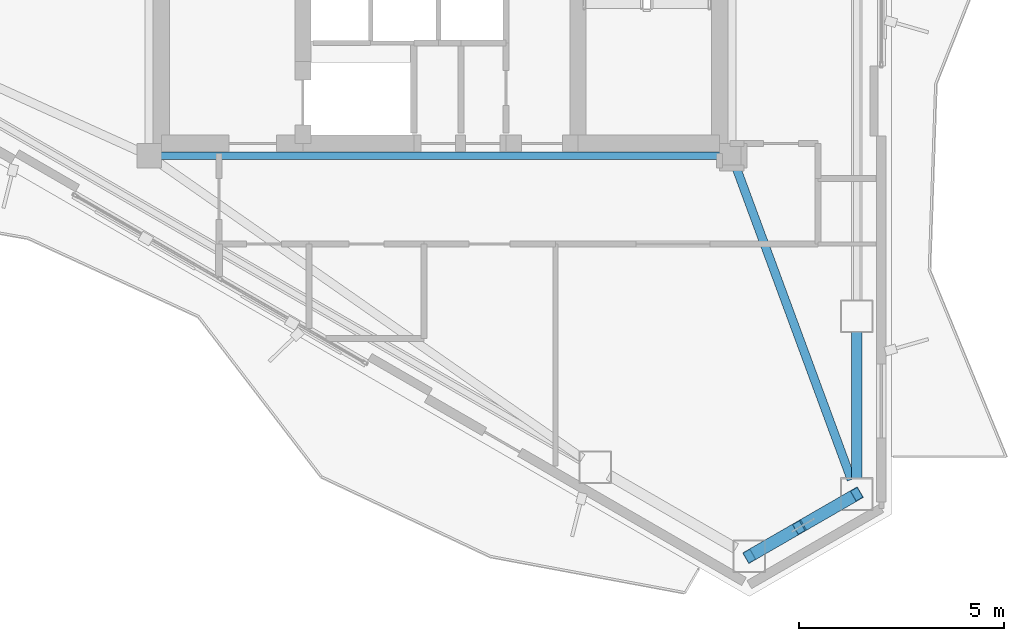
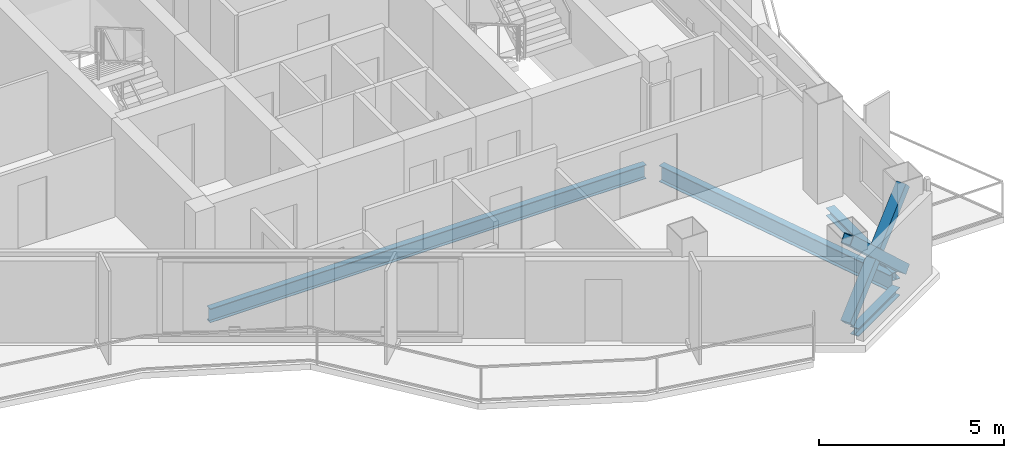
# One storey, part 6 of 18: 4 beams, 3 members.
"""IFC4 building model written with IfcOpenShell, lengths in metres."""

from ifc_helpers import new_model, si_unit, direction, frame, origin, origin_2d, place, context, subcontext, project, spatial, hollow_rectangle, i_section, extrude, material, material_profile, profile_set, type_object, element, save


model = new_model("IFC4")

# Units and contexts
model_context = context("Model", 3, precision=1e-05, world=origin(), true_north=direction((0.0, 1.0)))
body_context = subcontext(model_context, "Body", "Model", "MODEL_VIEW")
ifc_project = project(units=[si_unit("LENGTHUNIT", "METRE"), si_unit("AREAUNIT", "SQUARE_METRE"), si_unit("VOLUMEUNIT", "CUBIC_METRE"), si_unit("PLANEANGLEUNIT", "RADIAN"), si_unit("MASSUNIT", "GRAM", prefix="KILO")], contexts=[model_context])

# Site, building, storey
site_placement = place(None, origin())
site = spatial("IfcSite", under=ifc_project, at=site_placement, CompositionType="ELEMENT")
building_placement = place(site_placement, origin())
building = spatial("IfcBuilding", under=site, at=building_placement, Name="Mersakhor Tower and Convention Hall", CompositionType="ELEMENT")
storey_placement = place(building_placement, frame((0.0, 0.0, 233.10009765625)))
storey = spatial("IfcBuildingStorey", under=building, at=storey_placement, Name="L65", CompositionType="ELEMENT", Elevation=233.10009765625)

# Beams
ifc_material_1 = material(Name="Steel S355", Category="steel")
ifc_material_profile_1 = material_profile(ifc_material_1, i_section(OverallWidth=0.19140625, OverallDepth=0.4599609375, WebThickness=0.010009765625, FlangeThickness=0.01611328125, at=origin_2d()), Name="UB 457x191x82")
ifc_profile_set_1 = profile_set([ifc_material_profile_1], Name="Steel S355")
beam_type_1 = type_object("IfcBeamType", Name="BM-FB-457", PredefinedType="BEAM", material=ifc_profile_set_1)
beam_1_placement = place(storey_placement, frame((35.820068359375, 20.449951171875, -0.4501953125), z_axis=(-1.0, 0.0, 0.0), x_axis=(0.0, -1.0, 0.0)))
element("IfcBeam", 1, at=beam_1_placement, inside=storey, type_object=beam_type_1, Name="L65 Core Ring Tie Beam CRB-4", PredefinedType="BEAM", context=body_context, shape_type="SweptSolid", body=[
    extrude(i_section(OverallWidth=0.19140625, OverallDepth=0.4599609375, WebThickness=0.010009765625, FlangeThickness=0.01611328125, at=origin_2d()), origin(), (0.0, 0.0, 1.0), 13.64013671875),
])
ifc_material_2 = material(Name="Steel S355", Category="steel")
ifc_material_profile_2 = material_profile(ifc_material_2, i_section(OverallWidth=0.2099609375, OverallDepth=0.53662109375, WebThickness=0.0107421875, FlangeThickness=0.017333984375, at=origin_2d()), Name="UB 533x210x101")
ifc_profile_set_2 = profile_set([ifc_material_profile_2], Name="Steel S355")
beam_type_2 = type_object("IfcBeamType", Name="BM-FB-533", PredefinedType="BEAM", material=ifc_profile_set_2)
beam_2_placement = place(storey_placement, frame((36.197021484375, 20.187255859375, -0.488525390625), z_axis=(0.346207764595, -0.938157867171, 0.0), x_axis=(0.938157867171, 0.346207764595, 0.0)))
element("IfcBeam", 2, at=beam_2_placement, inside=storey, type_object=beam_type_2, Name="L65 Primary Floor Girder FG-4", PredefinedType="BEAM", context=body_context, shape_type="SweptSolid", body=[
    extrude(i_section(OverallWidth=0.2099609375, OverallDepth=0.53662109375, WebThickness=0.0107421875, FlangeThickness=0.017333984375, at=origin_2d()), origin(), (0.0, 0.0, 1.0), 8.128662109375),
])
ifc_material_3 = material(Name="Steel S355", Category="steel")
ifc_material_profile_3 = material_profile(ifc_material_3, i_section(OverallWidth=0.25634765625, OverallDepth=0.26025390625, WebThickness=0.01025390625, FlangeThickness=0.017333984375, at=origin_2d()), Name="UC 254x254x89")
ifc_profile_set_3 = profile_set([ifc_material_profile_3], Name="Steel S355")
beam_type_3 = type_object("IfcBeamType", Name="BM-SPD-UC254", PredefinedType="SPANDREL", material=ifc_profile_set_3)
beam_3_placement = place(storey_placement, frame((39.142822265625, 16.1591796875, -0.35009765625), z_axis=(0.0, -1.0, 0.0), x_axis=(1.0, 0.0, 0.0)))
element("IfcBeam", 3, at=beam_3_placement, inside=storey, type_object=beam_type_3, Name="L65 Perimeter Spandrel Beam SPB-07", PredefinedType="SPANDREL", context=body_context, shape_type="SweptSolid", body=[
    extrude(i_section(OverallWidth=0.25634765625, OverallDepth=0.26025390625, WebThickness=0.01025390625, FlangeThickness=0.017333984375, at=origin_2d()), origin(), (0.0, 0.0, 1.0), 3.574462890625),
])
beam_4_placement = place(storey_placement, frame((38.813720703125, 12.0146484375, -0.35009765625), z_axis=(-0.866016678684, -0.500015112013, 0.0), x_axis=(0.500015112013, -0.866016678684, 0.0)))
element("IfcBeam", 4, at=beam_4_placement, inside=storey, type_object=beam_type_3, Name="L65 Perimeter Spandrel Beam SPB-08", PredefinedType="SPANDREL", context=body_context, shape_type="SweptSolid", body=[
    extrude(i_section(OverallWidth=0.25634765625, OverallDepth=0.26025390625, WebThickness=0.01025390625, FlangeThickness=0.017333984375, at=origin_2d()), origin(), (0.0, 0.0, 1.0), 2.2626953125),
])

# Members
ifc_material_4 = material(Name="Steel S355", Category="steel")
ifc_material_profile_4 = material_profile(ifc_material_4, hollow_rectangle(XDim=0.300048828125, YDim=0.300048828125, WallThickness=0.01611328125, at=origin_2d()), Name="SHS 300x300x16")
ifc_profile_set_4 = profile_set([ifc_material_profile_4], Name="Steel S355")
member_type = type_object("IfcMemberType", Name="MB-BRC-SHS300", PredefinedType="BRACE", material=ifc_profile_set_4)
member_placement = place(storey_placement, frame((39.142822265625, 12.20458984375, 0.14990234375), z_axis=(-0.637423019708, -0.367995569109, 0.676957277132), x_axis=(0.499978822259, -0.866037630414, 0.0)))
element("IfcMember", 5, at=member_placement, inside=storey, type_object=member_type, Name="L65 Chamfer Braced Frame Diagonal CB-2A", PredefinedType="BRACE", context=body_context, shape_type="SweptSolid", body=[
    extrude(hollow_rectangle(XDim=0.300048828125, YDim=0.300048828125, WallThickness=0.01611328125, at=origin_2d()), origin(), (0.0, 0.0, 1.0), 4.106689453125),
])
for number, where, z_axis, x_axis, name in (
    (6, (36.525146484375, 10.693359375, 0.14990234375), (0.6374128848, 0.367990943802, 0.676969334291), (-0.499980071345, 0.866036909293, 0.0), "L65 Chamfer Braced Frame Diagonal CB-2B Lower Half"),
    (7, (37.93505859375, 11.50732421875, 1.647216796875), (0.6374128848, 0.367990943802, 0.676969334291), (-0.499980071345, 0.866036909293, 0.0), "L65 Chamfer Braced Frame Diagonal CB-2B Upper Half"),
):
    element("IfcMember", number, at=place(storey_placement, frame(where, z_axis=z_axis, x_axis=x_axis)), inside=storey, type_object=member_type, Name=name, PredefinedType="BRACE", context=body_context, shape_type="SweptSolid", body=[
        extrude(hollow_rectangle(XDim=0.300048828125, YDim=0.300048828125, WallThickness=0.01611328125, at=origin_2d()), origin(), (0.0, 0.0, 1.0), 1.894775390625),
    ])

save(model, "model.ifc")
